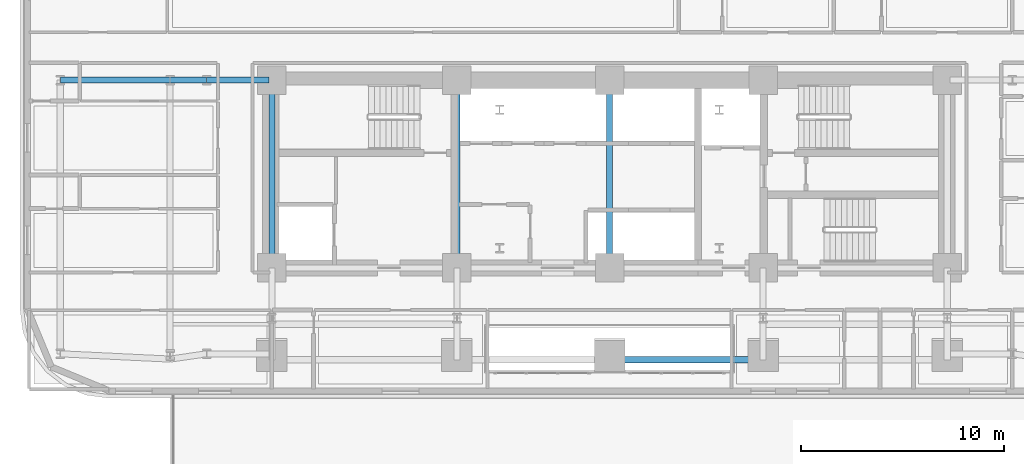
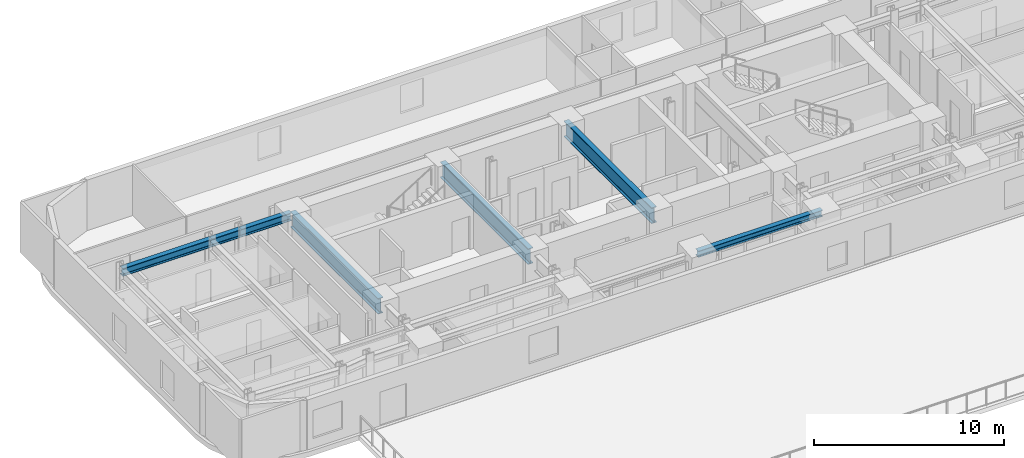
# One storey, part 4 of 15: 7 beams.
"""IFC4 building model written with IfcOpenShell, lengths in metres."""

from ifc_helpers import new_model, si_unit, direction, frame, origin, origin_2d, place, context, subcontext, project, spatial, i_section, extrude, material, material_profile, profile_set, type_object, element, save


model = new_model("IFC4")

# Units and contexts
model_context = context("Model", 3, precision=1e-05, world=origin(), true_north=direction((0.0, 1.0)))
body_context = subcontext(model_context, "Body", "Model", "MODEL_VIEW")
ifc_project = project(units=[si_unit("LENGTHUNIT", "METRE"), si_unit("AREAUNIT", "SQUARE_METRE"), si_unit("VOLUMEUNIT", "CUBIC_METRE"), si_unit("PLANEANGLEUNIT", "RADIAN"), si_unit("MASSUNIT", "GRAM", prefix="KILO")], contexts=[model_context])

# Site, building, storey
site_placement = place(None, origin())
site = spatial("IfcSite", under=ifc_project, at=site_placement, CompositionType="ELEMENT")
building_placement = place(site_placement, origin())
building = spatial("IfcBuilding", under=site, at=building_placement, Name="Zarnavel Station Tower", CompositionType="ELEMENT")
storey_placement = place(building_placement, frame((0.0, 0.0, 29.0)))
storey = spatial("IfcBuildingStorey", under=building, at=storey_placement, Name="L07", CompositionType="ELEMENT", Elevation=29.0)

# Beams
ifc_material_1 = material(Name="Steel S355J2", Category="steel")
ifc_material_profile_1 = material_profile(ifc_material_1, i_section(OverallWidth=0.300048828125, OverallDepth=0.39990234375, WebThickness=0.013427734375, FlangeThickness=0.02392578125, FilletRadius=0.027099609375, at=origin_2d()), Name="HEB400")
ifc_profile_set_1 = profile_set([ifc_material_profile_1], Name="Steel S355J2")
beam_type_1 = type_object("IfcBeamType", Name="EB_HEB400", PredefinedType="SPANDREL", material=ifc_profile_set_1)
beam_1_placement = place(storey_placement, frame((28.800048828125, 23.306396484375, 3.0400390625), z_axis=(1.0, 0.0, 0.0), x_axis=(0.0, 1.0, 0.0)))
element("IfcBeam", 1, at=beam_1_placement, inside=storey, type_object=beam_type_1, Name="L07 South Raked Spandrel 3", PredefinedType="SPANDREL", context=body_context, shape_type="SweptSolid", body=[
    extrude(i_section(OverallWidth=0.300048828125, OverallDepth=0.39990234375, WebThickness=0.013427734375, FlangeThickness=0.02392578125, FilletRadius=0.027099609375, at=origin_2d()), origin(), (0.0, 0.0, 1.0), 7.550048828125),
])
ifc_material_2 = material(Name="Steel S355J2", Category="steel")
ifc_material_profile_2 = material_profile(ifc_material_2, i_section(OverallWidth=0.300048828125, OverallDepth=0.5, WebThickness=0.014404296875, FlangeThickness=0.028076171875, FilletRadius=0.027099609375, at=origin_2d()), Name="HEB500")
ifc_profile_set_2 = profile_set([ifc_material_profile_2], Name="Steel S355J2")
beam_type_2 = type_object("IfcBeamType", Name="FG_HEB500", PredefinedType="USERDEFINED", material=ifc_profile_set_2)
beam_2_placement = place(storey_placement, frame((1.800048828125, 37.050048828125, 2.989990234375), z_axis=(1.0, 0.0, 0.0), x_axis=(0.0, 1.0, 0.0)))
element("IfcBeam", 2, at=beam_2_placement, inside=storey, type_object=beam_type_2, Name="L07 West Wing North Tie 1", ObjectType="GIRDER", PredefinedType="USERDEFINED", context=body_context, shape_type="SweptSolid", body=[
    extrude(i_section(OverallWidth=0.300048828125, OverallDepth=0.5, WebThickness=0.014404296875, FlangeThickness=0.028076171875, FilletRadius=0.027099609375, at=origin_2d()), origin(), (0.0, 0.0, 1.0), 5.39990234375),
])
beam_3_placement = place(storey_placement, frame((7.199951171875, 37.050048828125, 2.989990234375), z_axis=(1.0, 0.0, 0.0), x_axis=(0.0, 1.0, 0.0)))
element("IfcBeam", 3, at=beam_3_placement, inside=storey, type_object=beam_type_2, Name="L07 West Wing North Tie 2", ObjectType="GIRDER", PredefinedType="USERDEFINED", context=body_context, shape_type="SweptSolid", body=[
    extrude(i_section(OverallWidth=0.300048828125, OverallDepth=0.5, WebThickness=0.014404296875, FlangeThickness=0.028076171875, FilletRadius=0.027099609375, at=origin_2d()), origin(), (0.0, 0.0, 1.0), 1.800048828125),
])
beam_4_placement = place(storey_placement, frame((9.0, 37.050048828125, 2.989990234375), z_axis=(1.0, 0.0, 0.0), x_axis=(0.0, 1.0, 0.0)))
element("IfcBeam", 4, at=beam_4_placement, inside=storey, type_object=beam_type_2, Name="L07 West Wing North Tie 3", ObjectType="GIRDER", PredefinedType="USERDEFINED", context=body_context, shape_type="SweptSolid", body=[
    extrude(i_section(OverallWidth=0.300048828125, OverallDepth=0.5, WebThickness=0.014404296875, FlangeThickness=0.028076171875, FilletRadius=0.027099609375, at=origin_2d()), origin(), (0.0, 0.0, 1.0), 3.054931640625),
])
ifc_material_3 = material(Name="Steel S460M", Category="steel")
ifc_material_profile_3 = material_profile(ifc_material_3, i_section(OverallWidth=0.302001953125, OverallDepth=1.008056640625, WebThickness=0.02099609375, FlangeThickness=0.0400390625, FilletRadius=0.030029296875, at=origin_2d()), Name="HEM1000")
ifc_profile_set_3 = profile_set([ifc_material_profile_3], Name="Steel S460M")
beam_type_3 = type_object("IfcBeamType", Name="TG_HEM1000", PredefinedType="USERDEFINED", material=ifc_profile_set_3)
for number, where, z_axis, x_axis, name in (
    (5, (12.199951171875, 27.820068359375, 2.736083984375), (0.0, 1.0, 0.0), (-1.0, 0.0, 0.0), "L07 Core Spine Coupling Girder 1"),
    (6, (21.300048828125, 27.820068359375, 2.736083984375), (0.0, 1.0, 0.0), (-1.0, 0.0, 0.0), "L07 Core Spine Coupling Girder 2"),
    (7, (28.800048828125, 27.820068359375, 2.736083984375), (0.0, 1.0, 0.0), (-1.0, 0.0, 0.0), "L07 Core Spine Coupling Girder 3"),
):
    element("IfcBeam", number, at=place(storey_placement, frame(where, z_axis=z_axis, x_axis=x_axis)), inside=storey, type_object=beam_type_3, Name=name, ObjectType="GIRDER", PredefinedType="USERDEFINED", context=body_context, shape_type="SweptSolid", body=[
        extrude(i_section(OverallWidth=0.302001953125, OverallDepth=1.008056640625, WebThickness=0.02099609375, FlangeThickness=0.0400390625, FilletRadius=0.030029296875, at=origin_2d()), origin(), (0.0, 0.0, 1.0), 9.22998046875),
    ])

save(model, "model.ifc")
